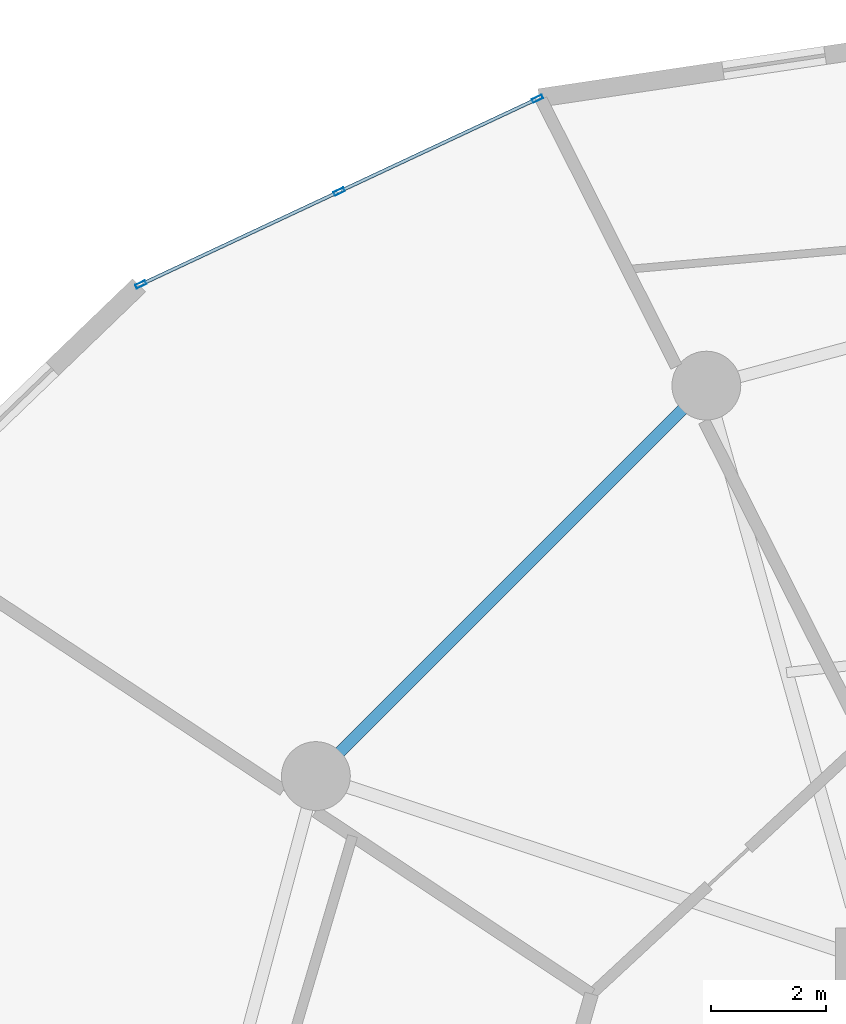
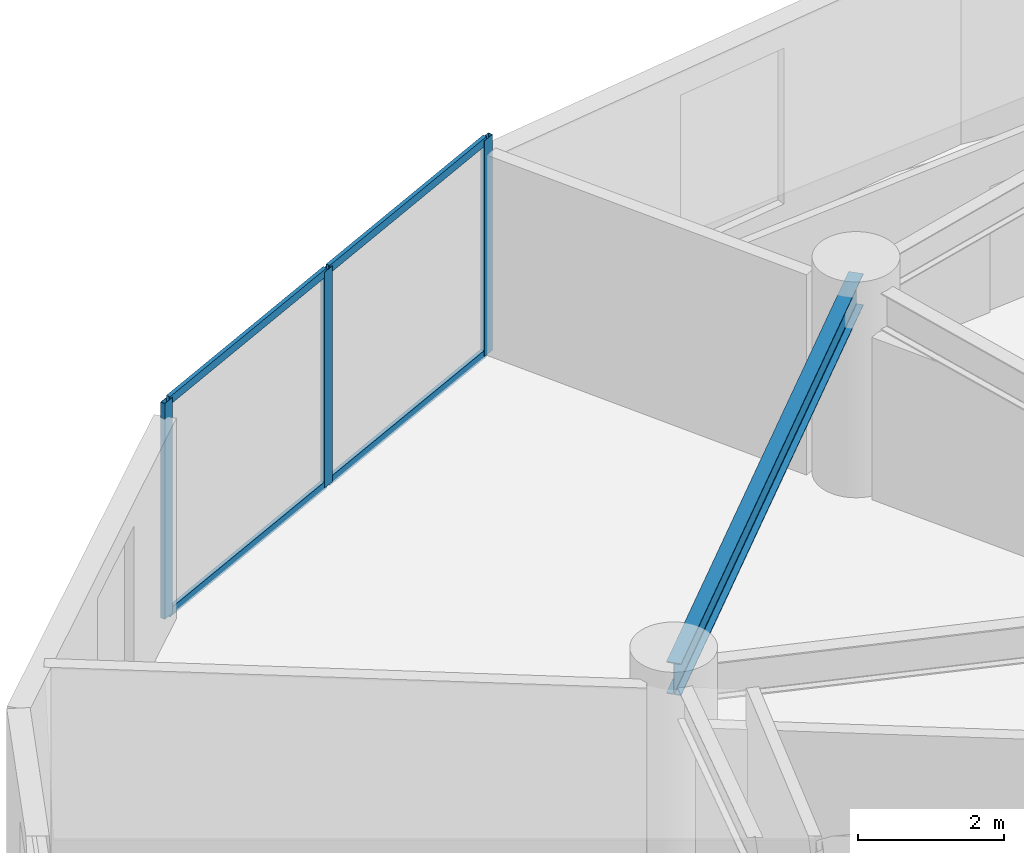
# One storey, part 13 of 25: 7 members, 1 beam, 1 element without a shape of its own.
"""IFC4 building model written with IfcOpenShell, lengths in metres."""

from ifc_helpers import new_model, si_unit, direction, frame, origin, origin_2d, place, context, subcontext, project, spatial, hollow_rectangle, i_section, extrude, source, transform, mapped, material, layer, layer_set, material_profile, profile_set, type_object, element, aggregate, save


model = new_model("IFC4")

# Units and contexts
model_context = context("Model", 3, precision=1e-05, world=origin(), true_north=direction((0.0, 1.0)))
body_context = subcontext(model_context, "Body", "Model", "MODEL_VIEW")
ifc_project = project(units=[si_unit("LENGTHUNIT", "METRE"), si_unit("AREAUNIT", "SQUARE_METRE"), si_unit("VOLUMEUNIT", "CUBIC_METRE"), si_unit("PLANEANGLEUNIT", "RADIAN"), si_unit("MASSUNIT", "GRAM", prefix="KILO")], contexts=[model_context])

# Site, building, storey
site_placement = place(None, origin())
site = spatial("IfcSite", under=ifc_project, at=site_placement, CompositionType="ELEMENT")
building_placement = place(site_placement, origin())
building = spatial("IfcBuilding", under=site, at=building_placement, Name="Solvirekh Grand Hotel", CompositionType="ELEMENT")
storey_placement = place(building_placement, frame((0.0, 0.0, 57.199951171875)))
storey = spatial("IfcBuildingStorey", under=building, at=storey_placement, Name="L13", CompositionType="ELEMENT", Elevation=57.199951171875)

# Beam
ifc_material_1 = material(Name="Steel S355", Category="steel")
ifc_material_profile_1 = material_profile(ifc_material_1, i_section(OverallWidth=0.208984375, OverallDepth=0.532958984375, WebThickness=0.010009765625, FlangeThickness=0.014892578125, FilletRadius=0.013916015625, at=origin_2d()), Name="W530X92")
ifc_profile_set_1 = profile_set([ifc_material_profile_1], Name="Steel S355")
beam_type = type_object("IfcBeamType", Name="Spandrel_Ring_W530", PredefinedType="SPANDREL", material=ifc_profile_set_1)
beam_placement = place(storey_placement, frame((-9.300048828125, 16.10791015625, 3.072998046875), z_axis=(-0.707106781187, -0.707106781187, 0.0), x_axis=(0.707106781187, -0.707106781187, 0.0)))
element("IfcBeam", 1, at=beam_placement, inside=storey, type_object=beam_type, Name="L13 perimeter spandrel beam 5", PredefinedType="SPANDREL", context=body_context, shape_type="SweptSolid", body=[
    extrude(i_section(OverallWidth=0.208984375, OverallDepth=0.532958984375, WebThickness=0.010009765625, FlangeThickness=0.014892578125, FilletRadius=0.013916015625, at=origin_2d()), origin(), (0.0, 0.0, 1.0), 9.627685546875),
])

# Curtain wall, members
ifc_material_2 = material(Name="Anodized Bronze Aluminium 6063-T6", Category="aluminium")
ifc_layer = layer(ifc_material_2, 0.18994140625)
ifc_layer_set = layer_set([ifc_layer], Name="Anodized Bronze Aluminium 6063-T6")
curtain_wall_type = type_object("IfcCurtainWallType", Name="CW_Sys2_LowZoneFlushBronzeCW", PredefinedType="NOTDEFINED", material=ifc_layer_set)
curtain_wall_placement = place(storey_placement, origin())
curtain_wall = element("IfcCurtainWall", 2, at=curtain_wall_placement, inside=storey, type_object=curtain_wall_type, Name="L13 unitised bronze-glass curtain wall CW-L13-C08", PredefinedType="NOTDEFINED")
ifc_material_profile_2 = material_profile(ifc_material_2, hollow_rectangle(XDim=0.070068359375, YDim=0.18994140625, WallThickness=0.0048828125, at=origin_2d()), Name="ALU RHS 190X70X5")
ifc_profile_set_2 = profile_set([ifc_material_profile_2], Name="Anodized Bronze Aluminium 6063-T6")
member_type_1 = type_object("IfcMemberType", Name="CWMullion_Sys2", PredefinedType="MULLION", material=ifc_profile_set_2)
shared_shape_1 = source(origin(), body_context, "Body", "SweptSolid", [
    extrude(hollow_rectangle(XDim=0.070068359375, YDim=0.18994140625, WallThickness=0.0048828125, at=origin_2d()), origin(), (0.0, 0.0, 1.0), 3.60009765625),
])
member_1_placement = place(storey_placement, frame((-12.24462890625, 21.110107421875, 0.0), z_axis=(0.0, 0.0, 1.0), x_axis=(0.424121298124, -0.905605391149, 0.0)))
member_1 = element("IfcMember", 3, at=member_1_placement, type_object=member_type_1, Name="U02 mullion 1", PredefinedType="MULLION", context=body_context, shape_type="MappedRepresentation", body=[
    mapped(shared_shape_1, transform((0.0, 0.0, 0.0), x_axis=(1.0, 0.0, 0.0), y_axis=(0.0, 1.0, 0.0), z_axis=(0.0, 0.0, 1.0), scale=1.0)),
])
member_2_placement = place(storey_placement, frame((-15.701904296875, 19.490966796875, 0.0), z_axis=(0.0, 0.0, 1.0), x_axis=(0.424121298124, -0.905605391149, 0.0)))
member_2 = element("IfcMember", 4, at=member_2_placement, type_object=member_type_1, Name="U02 mullion 2", PredefinedType="MULLION", context=body_context, shape_type="MappedRepresentation", body=[
    mapped(shared_shape_1, transform((0.0, 0.0, 0.0), x_axis=(1.0, 0.0, 0.0), y_axis=(0.0, 1.0, 0.0), z_axis=(0.0, 0.0, 1.0), scale=1.0)),
])
member_3_placement = place(storey_placement, frame((-19.159423828125, 17.871826171875, 0.0), z_axis=(0.0, 0.0, 1.0), x_axis=(0.424121298124, -0.905605391149, 0.0)))
member_3 = element("IfcMember", 5, at=member_3_placement, type_object=member_type_1, Name="U02 mullion 3", PredefinedType="MULLION", context=body_context, shape_type="MappedRepresentation", body=[
    mapped(shared_shape_1, transform((0.0, 0.0, 0.0), x_axis=(1.0, 0.0, 0.0), y_axis=(0.0, 1.0, 0.0), z_axis=(0.0, 0.0, 1.0), scale=1.0)),
])
ifc_material_profile_3 = material_profile(ifc_material_2, hollow_rectangle(XDim=0.06005859375, YDim=0.135009765625, WallThickness=0.00390625, at=origin_2d()), Name="ALU RHS 135X60X4")
ifc_profile_set_3 = profile_set([ifc_material_profile_3], Name="Anodized Bronze Aluminium 6063-T6")
member_type_2 = type_object("IfcMemberType", Name="CWTransom_Sys2", PredefinedType="USERDEFINED", material=ifc_profile_set_3)
shared_shape_2 = source(origin(), body_context, "Body", "SweptSolid", [
    extrude(hollow_rectangle(XDim=0.06005859375, YDim=0.135009765625, WallThickness=0.00390625, at=origin_2d()), origin(), (0.0, 0.0, 1.0), 3.747802734375),
])
member_4_placement = place(storey_placement, frame((-12.2763671875, 21.09521484375, 0.030029296875), z_axis=(-0.905623160856, -0.424083353271, 0.0), x_axis=(0.424083353271, -0.905623160856, 0.0)))
member_4 = element("IfcMember", 6, at=member_4_placement, type_object=member_type_2, Name="U02 transom 1.1", ObjectType="TRANSOM", PredefinedType="USERDEFINED", context=body_context, shape_type="MappedRepresentation", body=[
    mapped(shared_shape_2, transform((0.0, 0.0, 0.0), x_axis=(1.0, 0.0, 0.0), y_axis=(0.0, 1.0, 0.0), z_axis=(0.0, 0.0, 1.0), scale=1.0)),
])
member_5_placement = place(storey_placement, frame((-12.2763671875, 21.09521484375, 3.570068359375), z_axis=(-0.905623160856, -0.424083353271, 0.0), x_axis=(0.424083353271, -0.905623160856, 0.0)))
member_5 = element("IfcMember", 7, at=member_5_placement, type_object=member_type_2, Name="U02 transom 1.2", ObjectType="TRANSOM", PredefinedType="USERDEFINED", context=body_context, shape_type="MappedRepresentation", body=[
    mapped(shared_shape_2, transform((0.0, 0.0, 0.0), x_axis=(1.0, 0.0, 0.0), y_axis=(0.0, 1.0, 0.0), z_axis=(0.0, 0.0, 1.0), scale=1.0)),
])
member_6_placement = place(storey_placement, frame((-15.733642578125, 19.47607421875, 0.030029296875), z_axis=(-0.905623160856, -0.424083353271, 0.0), x_axis=(0.424083353271, -0.905623160856, 0.0)))
member_6 = element("IfcMember", 8, at=member_6_placement, type_object=member_type_2, Name="U02 transom 2.1", ObjectType="TRANSOM", PredefinedType="USERDEFINED", context=body_context, shape_type="MappedRepresentation", body=[
    mapped(shared_shape_2, transform((0.0, 0.0, 0.0), x_axis=(1.0, 0.0, 0.0), y_axis=(0.0, 1.0, 0.0), z_axis=(0.0, 0.0, 1.0), scale=1.0)),
])
member_7_placement = place(storey_placement, frame((-15.733642578125, 19.47607421875, 3.570068359375), z_axis=(-0.905623160856, -0.424083353271, 0.0), x_axis=(0.424083353271, -0.905623160856, 0.0)))
member_7 = element("IfcMember", 9, at=member_7_placement, type_object=member_type_2, Name="U02 transom 2.2", ObjectType="TRANSOM", PredefinedType="USERDEFINED", context=body_context, shape_type="MappedRepresentation", body=[
    mapped(shared_shape_2, transform((0.0, 0.0, 0.0), x_axis=(1.0, 0.0, 0.0), y_axis=(0.0, 1.0, 0.0), z_axis=(0.0, 0.0, 1.0), scale=1.0)),
])
aggregate(curtain_wall, [member_1, member_2, member_3, member_4, member_5, member_6, member_7])

save(model, "model.ifc")
